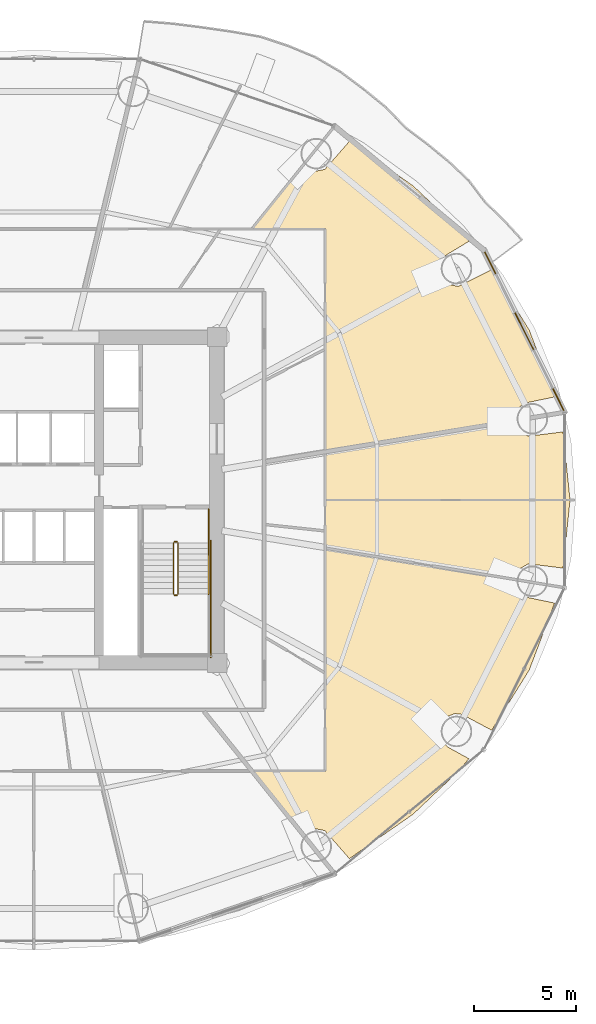
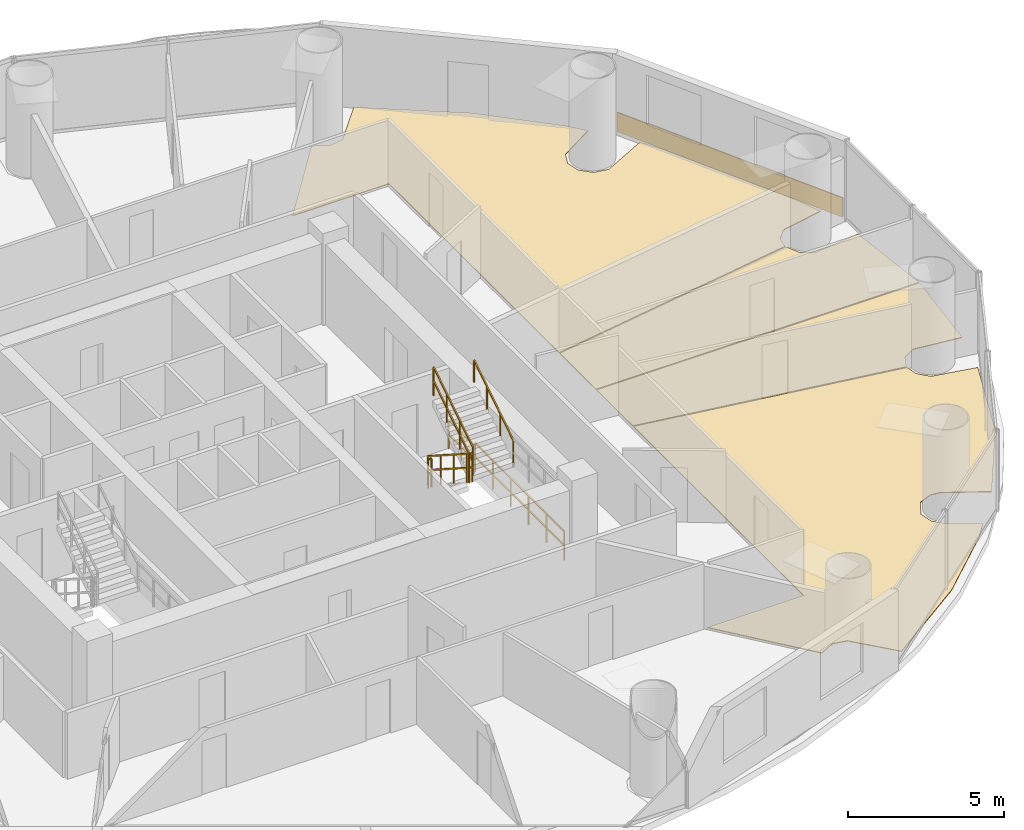
# One storey, part 28 of 29: 7 railings, 5 coverings.
"""IFC4 building model written with IfcOpenShell, lengths in metres."""

from ifc_helpers import new_model, si_unit, direction, frame, origin, origin_2d, place, context, subcontext, project, spatial, polyline, rectangle, outline, extrude, source, transform, mapped, material, layer, layer_set, type_object, element, save


model = new_model("IFC4")

# Units and contexts
model_context = context("Model", 3, precision=1e-05, world=origin(), true_north=direction((-0.2419218956, 0.970295726276)))
body_context = subcontext(model_context, "Body", "Model", "MODEL_VIEW")
ifc_project = project(units=[si_unit("LENGTHUNIT", "METRE"), si_unit("AREAUNIT", "SQUARE_METRE"), si_unit("VOLUMEUNIT", "CUBIC_METRE"), si_unit("PLANEANGLEUNIT", "RADIAN"), si_unit("MASSUNIT", "GRAM", prefix="KILO")], contexts=[model_context])

# Site, building, storey
site_placement = place(None, origin())
site = spatial("IfcSite", under=ifc_project, at=site_placement, CompositionType="ELEMENT")
building_placement = place(site_placement, origin())
building = spatial("IfcBuilding", under=site, at=building_placement, Name="Cobrevalo Terracotta Tower", CompositionType="ELEMENT")
storey_placement = place(building_placement, frame((0.0, 0.0, 126.60009765625)))
storey = spatial("IfcBuildingStorey", under=building, at=storey_placement, Name="L33", CompositionType="ELEMENT", Elevation=126.60009765625)

# Coverings
ifc_material_1 = material(Name="Engineered Brazilian hardwood flooring", Category="wood")
ifc_layer_1 = layer(ifc_material_1, 0.028076171875)
ifc_layer_set_1 = layer_set([ifc_layer_1], Name="Engineered Brazilian hardwood flooring")
covering_type_1 = type_object("IfcCoveringType", Name="Engineered Hardwood Suite Flooring 28", PredefinedType="FLOORING", material=ifc_layer_set_1)
covering_1_placement = place(storey_placement, origin())
element("IfcCovering", 1, at=covering_1_placement, inside=storey, type_object=covering_type_1, Name="Flat L33A Penthouse Living and Dining Room floor finish", PredefinedType="FLOORING", context=body_context, shape_type="SweptSolid", body=[
    extrude(outline(polyline([(56.6123046875, 42.227783203125), (58.882080078125, 40.081787109375), (59.35302734375, 39.49755859375), (58.05908203125, 38.712890625), (57.868408203125, 38.23876953125), (57.97314453125, 37.73876953125), (58.338134765625, 37.381103515625), (58.84033203125, 37.286376953125), (60.474853515625, 38.10546875), (62.317138671875, 35.14892578125), (63.564208984375, 31.859619140625), (62.00732421875, 31.537841796875), (61.669677734375, 31.154541015625), (61.597412109375, 30.719970703125), (52.324951171875, 29.187744140625), (52.324951171875, 40.125), (48.7421875, 40.125), (51.219970703125, 43.2060546875), (51.778076171875, 42.927490234375), (52.27880859375, 43.02880859375), (53.488525390625, 44.40673828125), (56.6123046875, 42.227783203125)])), origin(), (0.0, 0.0, 1.0), 0.02978515625),
])
covering_2_placement = place(storey_placement, origin())
element("IfcCovering", 2, at=covering_2_placement, inside=storey, type_object=covering_type_1, Name="Flat L33E Penthouse Living and Dining Room floor finish", PredefinedType="FLOORING", context=body_context, shape_type="SweptSolid", body=[
    extrude(outline(polyline([(60.474853515625, 15.49462890625), (59.00927734375, 16.278076171875), (58.667724609375, 16.315185546875), (58.19384765625, 16.12451171875), (57.8701171875, 15.53369140625), (57.96484375, 15.03173828125), (58.321533203125, 14.667236328125), (59.35302734375, 14.102294921875), (58.882080078125, 13.518310546875), (56.6123046875, 11.372314453125), (53.488525390625, 9.193359375), (52.27880859375, 10.5712890625), (51.778076171875, 10.672607421875), (51.219970703125, 10.393798828125), (48.7421875, 13.47509765625), (52.324951171875, 13.47509765625), (52.324951171875, 24.412353515625), (61.597412109375, 22.8798828125), (61.669677734375, 22.445556640625), (62.00732421875, 22.06201171875), (63.564208984375, 21.740478515625), (62.317138671875, 18.451171875), (60.474853515625, 15.49462890625)])), origin(), (0.0, 0.0, 1.0), 0.02978515625),
])
covering_3_placement = place(storey_placement, origin())
element("IfcCovering", 3, at=covering_3_placement, inside=storey, type_object=covering_type_1, Name="Flat L33E Master Bedroom floor finish", PredefinedType="FLOORING", context=body_context, shape_type="SweptSolid", body=[
    extrude(outline(polyline([(64.318359375, 26.780029296875), (63.975830078125, 23.45654296875), (62.26904296875, 23.6669921875), (61.8271484375, 23.41064453125), (61.60302734375, 22.919677734375), (52.324951171875, 24.452880859375), (52.324951171875, 26.780029296875), (64.318359375, 26.780029296875)])), origin(), (0.0, 0.0, 1.0), 0.02978515625),
])
covering_4_placement = place(storey_placement, origin())
element("IfcCovering", 4, at=covering_4_placement, inside=storey, type_object=covering_type_1, Name="Flat L33E Penthouse Family Lounge floor finish", PredefinedType="FLOORING", context=body_context, shape_type="SweptSolid", body=[
    extrude(outline(polyline([(61.60302734375, 30.680419921875), (61.8271484375, 30.189208984375), (62.26904296875, 29.932861328125), (63.975830078125, 30.143310546875), (64.318359375, 26.820068359375), (52.324951171875, 26.820068359375), (52.324951171875, 29.147216796875), (61.60302734375, 30.680419921875)])), origin(), (0.0, 0.0, 1.0), 0.02978515625),
])

# Railings
ifc_material_2 = material(Name="Brushed stainless steel", Category="steel")
railing_type_1 = type_object("IfcRailingType", Name="Stainless Steel Stair Handrail 900", PredefinedType="HANDRAIL", material=ifc_material_2)
railing_1_placement = place(storey_placement, frame((46.574951171875, 22.179931640625, 1.97998046875)))
element("IfcRailing", 5, at=railing_1_placement, inside=storey, type_object=railing_type_1, Name="L33 ST-2 stair handrail 2", PredefinedType="HANDRAIL", context=body_context, shape_type="SweptSolid", body=[
    extrude(rectangle(XDim=0.048095703125, YDim=0.048095703125, at=origin_2d()), frame((0.0, 0.0, 0.8759765625), z_axis=(0.0, 0.841199657755, 0.540724639528), x_axis=(-1.0, 0.0, 0.0)), (0.0, 0.0, 1.0), 2.995849609375),
    extrude(rectangle(XDim=0.0419921875, YDim=0.0419921875, at=origin_2d()), origin(), (0.0, 0.0, 1.0), 0.851806640625),
    extrude(rectangle(XDim=0.0419921875, YDim=0.0419921875, at=origin_2d()), frame((0.0, 0.840087890625, 0.5400390625)), (0.0, 0.0, 1.0), 0.851806640625),
    extrude(rectangle(XDim=0.0419921875, YDim=0.0419921875, at=origin_2d()), frame((0.0, 1.679931640625, 1.079833984375)), (0.0, 0.0, 1.0), 0.851806640625),
    extrude(rectangle(XDim=0.0419921875, YDim=0.0419921875, at=origin_2d()), frame((0.0, 2.52001953125, 1.619873046875)), (0.0, 0.0, 1.0), 0.851806640625),
])
ifc_material_3 = material(Name="Painted galvanized steel", Category="steel")
railing_type_2 = type_object("IfcRailingType", Name="Stair Well Guard Balustrade 1150", PredefinedType="GUARDRAIL", material=ifc_material_3)
railing_2_placement = place(storey_placement, frame((44.85498046875, 24.699951171875, 0.179931640625)))
element("IfcRailing", 6, at=railing_2_placement, inside=storey, type_object=railing_type_2, Name="L33 ST-2 stair guard 1", PredefinedType="GUARDRAIL", context=body_context, shape_type="SweptSolid", body=[
    extrude(rectangle(XDim=0.048095703125, YDim=0.048095703125, at=origin_2d()), frame((0.0, 0.0, 1.1259765625), z_axis=(0.0, -0.841199657755, 0.540724639528), x_axis=(1.0, 0.0, 0.0)), (0.0, 0.0, 1.0), 2.995849609375),
    extrude(rectangle(XDim=0.048095703125, YDim=0.048095703125, at=origin_2d()), frame((0.0, 0.0, 0.574951171875), z_axis=(0.0, -0.841199657755, 0.540724639528), x_axis=(1.0, 0.0, 0.0)), (0.0, 0.0, 1.0), 2.995849609375),
    extrude(rectangle(XDim=0.0419921875, YDim=0.0419921875, at=origin_2d()), origin(), (0.0, 0.0, 1.0), 1.101806640625),
    extrude(rectangle(XDim=0.0419921875, YDim=0.0419921875, at=origin_2d()), frame((0.0, -0.840087890625, 0.5400390625)), (0.0, 0.0, 1.0), 1.101806640625),
    extrude(rectangle(XDim=0.0419921875, YDim=0.0419921875, at=origin_2d()), frame((0.0, -1.679931640625, 1.079833984375)), (0.0, 0.0, 1.0), 1.101806640625),
    extrude(rectangle(XDim=0.0419921875, YDim=0.0419921875, at=origin_2d()), frame((0.0, -2.52001953125, 1.619873046875)), (0.0, 0.0, 1.0), 1.101806640625),
])
railing_3_placement = place(storey_placement, frame((44.905029296875, 22.1298828125, 1.7998046875)))
element("IfcRailing", 7, at=railing_3_placement, inside=storey, type_object=railing_type_2, Name="L33 ST-2 stair guard 2", PredefinedType="GUARDRAIL", context=body_context, shape_type="SweptSolid", body=[
    extrude(rectangle(XDim=0.048095703125, YDim=0.048095703125, at=origin_2d()), frame((0.0, 0.0, 1.1259765625), z_axis=(1.0, 0.0, 0.0), x_axis=(0.0, 1.0, 0.0)), (0.0, 0.0, 1.0), 0.119873046875),
    extrude(rectangle(XDim=0.048095703125, YDim=0.048095703125, at=origin_2d()), frame((0.0, 0.0, 0.574951171875), z_axis=(1.0, 0.0, 0.0), x_axis=(0.0, 1.0, 0.0)), (0.0, 0.0, 1.0), 0.119873046875),
    extrude(rectangle(XDim=0.0419921875, YDim=0.0419921875, at=origin_2d()), origin(), (0.0, 0.0, 1.0), 1.101806640625),
    extrude(rectangle(XDim=0.0419921875, YDim=0.0419921875, at=origin_2d()), frame((0.119873046875, 0.0, 0.0)), (0.0, 0.0, 1.0), 1.101806640625),
])
railing_4_placement = place(storey_placement, frame((45.074951171875, 22.179931640625, 1.97998046875)))
element("IfcRailing", 8, at=railing_4_placement, inside=storey, type_object=railing_type_2, Name="L33 ST-2 stair guard 6", PredefinedType="GUARDRAIL", context=body_context, shape_type="SweptSolid", body=[
    extrude(rectangle(XDim=0.048095703125, YDim=0.048095703125, at=origin_2d()), frame((0.0, 0.0, 1.1259765625), z_axis=(0.0, 0.841199657755, 0.540724639528), x_axis=(-1.0, 0.0, 0.0)), (0.0, 0.0, 1.0), 2.995849609375),
    extrude(rectangle(XDim=0.048095703125, YDim=0.048095703125, at=origin_2d()), frame((0.0, 0.0, 0.574951171875), z_axis=(0.0, 0.841199657755, 0.540724639528), x_axis=(-1.0, 0.0, 0.0)), (0.0, 0.0, 1.0), 2.995849609375),
    extrude(rectangle(XDim=0.0419921875, YDim=0.0419921875, at=origin_2d()), origin(), (0.0, 0.0, 1.0), 1.101806640625),
    extrude(rectangle(XDim=0.0419921875, YDim=0.0419921875, at=origin_2d()), frame((0.0, 0.840087890625, 0.5400390625)), (0.0, 0.0, 1.0), 1.101806640625),
    extrude(rectangle(XDim=0.0419921875, YDim=0.0419921875, at=origin_2d()), frame((0.0, 1.679931640625, 1.079833984375)), (0.0, 0.0, 1.0), 1.101806640625),
    extrude(rectangle(XDim=0.0419921875, YDim=0.0419921875, at=origin_2d()), frame((0.0, 2.52001953125, 1.619873046875)), (0.0, 0.0, 1.0), 1.101806640625),
])
railing_5_placement = place(storey_placement, frame((44.905029296875, 24.75, 0.0)))
element("IfcRailing", 9, at=railing_5_placement, inside=storey, type_object=railing_type_2, Name="L33 ST-2 stair guard 7", PredefinedType="GUARDRAIL", context=body_context, shape_type="SweptSolid", body=[
    extrude(rectangle(XDim=0.048095703125, YDim=0.048095703125, at=origin_2d()), frame((0.0, 0.0, 1.1259765625), z_axis=(1.0, 0.0, 0.0), x_axis=(0.0, 1.0, 0.0)), (0.0, 0.0, 1.0), 0.119873046875),
    extrude(rectangle(XDim=0.048095703125, YDim=0.048095703125, at=origin_2d()), frame((0.0, 0.0, 0.574951171875), z_axis=(1.0, 0.0, 0.0), x_axis=(0.0, 1.0, 0.0)), (0.0, 0.0, 1.0), 0.119873046875),
    extrude(rectangle(XDim=0.0419921875, YDim=0.0419921875, at=origin_2d()), origin(), (0.0, 0.0, 1.0), 1.101806640625),
    extrude(rectangle(XDim=0.0419921875, YDim=0.0419921875, at=origin_2d()), frame((0.119873046875, 0.0, 0.0)), (0.0, 0.0, 1.0), 1.101806640625),
])
railing_6_placement = place(storey_placement, frame((46.574951171875, 26.35009765625, 0.0)))
element("IfcRailing", 10, at=railing_6_placement, inside=storey, type_object=railing_type_2, Name="L33 ST-2 stair guard 9", PredefinedType="GUARDRAIL", context=body_context, shape_type="SweptSolid", body=[
    extrude(rectangle(XDim=0.048095703125, YDim=0.048095703125, at=origin_2d()), frame((0.0, 0.0, 1.1259765625), z_axis=(0.0, -1.0, 0.0), x_axis=(1.0, 0.0, 0.0)), (0.0, 0.0, 1.0), 1.650146484375),
    extrude(rectangle(XDim=0.048095703125, YDim=0.048095703125, at=origin_2d()), frame((0.0, 0.0, 0.574951171875), z_axis=(0.0, -1.0, 0.0), x_axis=(1.0, 0.0, 0.0)), (0.0, 0.0, 1.0), 1.650146484375),
    extrude(rectangle(XDim=0.0419921875, YDim=0.0419921875, at=origin_2d()), origin(), (0.0, 0.0, 1.0), 1.101806640625),
    extrude(rectangle(XDim=0.0419921875, YDim=0.0419921875, at=origin_2d()), frame((0.0, -0.8251953125, 0.0)), (0.0, 0.0, 1.0), 1.101806640625),
    extrude(rectangle(XDim=0.0419921875, YDim=0.0419921875, at=origin_2d()), frame((0.0, -1.650146484375, 0.0)), (0.0, 0.0, 1.0), 1.101806640625),
])
railing_7_placement = place(storey_placement, frame((46.675048828125, 24.800048828125, 0.0)))
element("IfcRailing", 11, at=railing_7_placement, inside=storey, type_object=railing_type_2, Name="L33 ST-2 stair guard 11", PredefinedType="GUARDRAIL", context=body_context, shape_type="SweptSolid", body=[
    extrude(rectangle(XDim=0.048095703125, YDim=0.048095703125, at=origin_2d()), frame((0.0, 0.0, 1.1259765625), z_axis=(0.0, -1.0, 0.0), x_axis=(1.0, 0.0, 0.0)), (0.0, 0.0, 1.0), 5.72509765625),
    extrude(rectangle(XDim=0.048095703125, YDim=0.048095703125, at=origin_2d()), frame((0.0, 0.0, 0.574951171875), z_axis=(0.0, -1.0, 0.0), x_axis=(1.0, 0.0, 0.0)), (0.0, 0.0, 1.0), 5.72509765625),
    extrude(rectangle(XDim=0.0419921875, YDim=0.0419921875, at=origin_2d()), origin(), (0.0, 0.0, 1.0), 1.101806640625),
    extrude(rectangle(XDim=0.0419921875, YDim=0.0419921875, at=origin_2d()), frame((0.0, -1.14501953125, 0.0)), (0.0, 0.0, 1.0), 1.101806640625),
    extrude(rectangle(XDim=0.0419921875, YDim=0.0419921875, at=origin_2d()), frame((0.0, -2.2900390625, 0.0)), (0.0, 0.0, 1.0), 1.101806640625),
    extrude(rectangle(XDim=0.0419921875, YDim=0.0419921875, at=origin_2d()), frame((0.0, -3.43505859375, 0.0)), (0.0, 0.0, 1.0), 1.101806640625),
    extrude(rectangle(XDim=0.0419921875, YDim=0.0419921875, at=origin_2d()), frame((0.0, -4.580078125, 0.0)), (0.0, 0.0, 1.0), 1.101806640625),
    extrude(rectangle(XDim=0.0419921875, YDim=0.0419921875, at=origin_2d()), frame((0.0, -5.72509765625, 0.0)), (0.0, 0.0, 1.0), 1.101806640625),
])

# Covering
ifc_material_4 = material(Name="Glazed terracotta facade cladding tile", Category="masonry")
ifc_layer_2 = layer(ifc_material_4, 0.044921875)
ifc_layer_set_2 = layer_set([ifc_layer_2], Name="Glazed terracotta facade cladding tile")
covering_type_2 = type_object("IfcCoveringType", Name="Architectural terracotta rainscreen spandrel cladding 45 mm", PredefinedType="CLADDING", material=ifc_layer_set_2)
shared_shape = source(origin(), body_context, "Body", "SweptSolid", [
    extrude(rectangle(XDim=8.690185546875, YDim=0.044921875, at=origin_2d()), origin(), (0.0, 0.0, 1.0), 0.760009765625),
])
covering_5_placement = place(storey_placement, frame((62.075927734375, 35.08349609375, 0.0400390625), z_axis=(0.0, 0.0, 1.0), x_axis=(-0.446261852127, 0.894902430065, 0.0)))
element("IfcCovering", 12, at=covering_5_placement, inside=storey, type_object=covering_type_2, Name="L33 terracotta spandrel cladding S01", PredefinedType="CLADDING", context=body_context, shape_type="MappedRepresentation", body=[
    mapped(shared_shape, transform((0.0, 0.0, 0.0), scale=1.0)),
])

save(model, "model.ifc")
